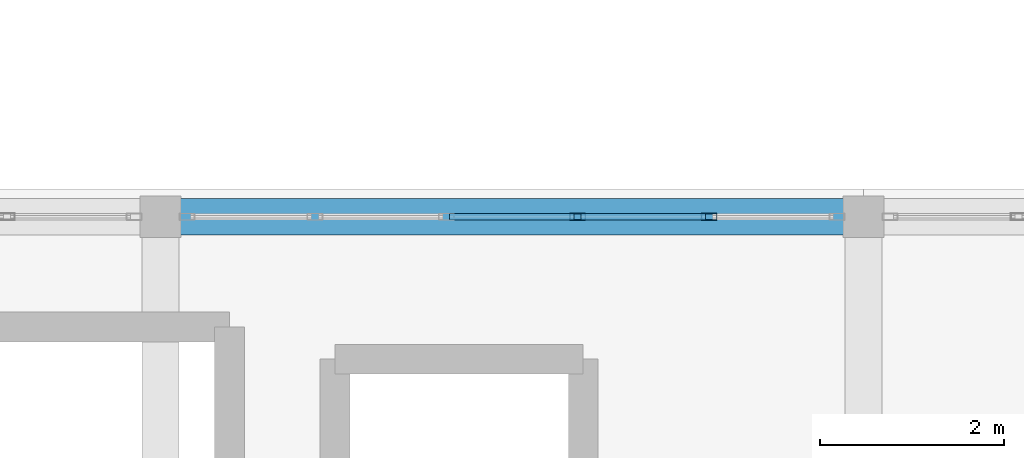
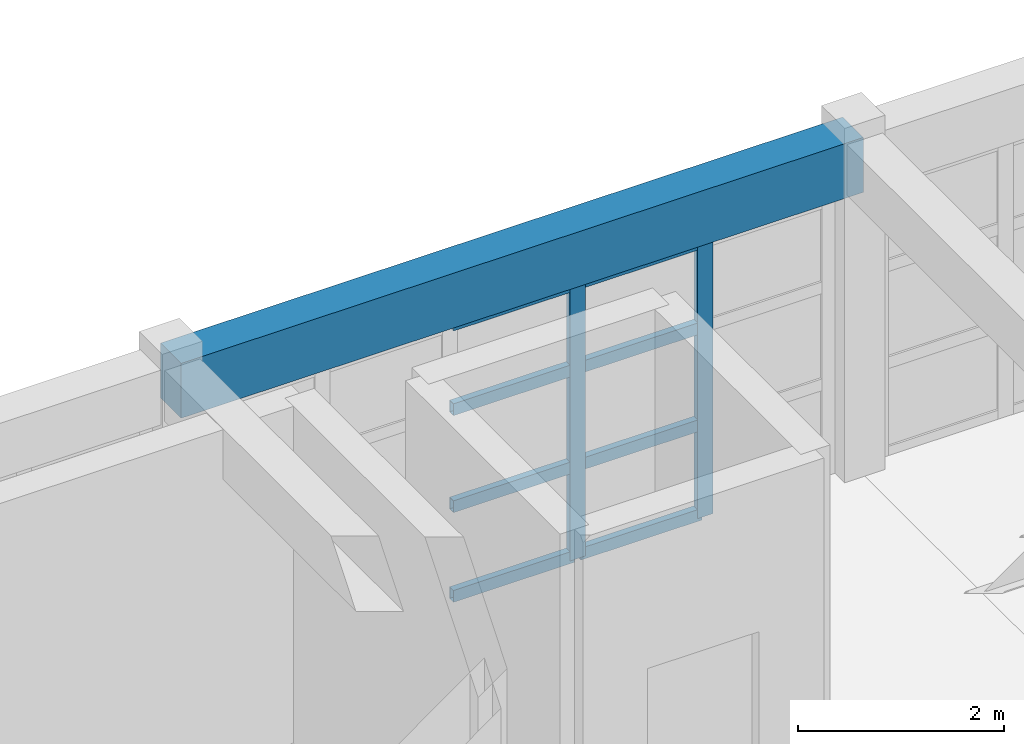
# One storey, part 10 of 52: 10 members, 1 beam, 1 element without a shape of its own.
"""IFC4 building model written with IfcOpenShell, lengths in metres."""

from ifc_helpers import new_model, si_unit, direction, frame, origin, origin_2d, place, context, subcontext, project, spatial, rectangle, hollow_rectangle, extrude, material, layer, layer_set, material_profile, profile_set, type_object, element, aggregate, save


model = new_model("IFC4")

# Units and contexts
model_context = context("Model", 3, precision=1e-05, world=origin(), true_north=direction((0.0, 1.0)))
body_context = subcontext(model_context, "Body", "Model", "MODEL_VIEW")
ifc_project = project(units=[si_unit("LENGTHUNIT", "METRE"), si_unit("AREAUNIT", "SQUARE_METRE"), si_unit("VOLUMEUNIT", "CUBIC_METRE"), si_unit("PLANEANGLEUNIT", "RADIAN"), si_unit("MASSUNIT", "GRAM", prefix="KILO")], contexts=[model_context])

# Site, building, storey
site_placement = place(None, origin())
site = spatial("IfcSite", under=ifc_project, at=site_placement, CompositionType="ELEMENT")
building_placement = place(site_placement, origin())
building = spatial("IfcBuilding", under=site, at=building_placement, Name="Candilejo Ridge Gondola Terminal", CompositionType="ELEMENT")
storey_placement = place(building_placement, frame((0.0, 0.0, 18.60009765625)))
storey = spatial("IfcBuildingStorey", under=building, at=storey_placement, Name="L04", CompositionType="ELEMENT", Elevation=18.60009765625)

# Curtain wall, members
ifc_material_1 = material(Name="Anodised aluminium AA 6063-T6", Category="aluminium")
ifc_layer = layer(ifc_material_1, 0.169921875)
ifc_layer_set = layer_set([ifc_layer], Name="ARC-CW-GALLERY-3200-715X329")
curtain_wall_type = type_object("IfcCurtainWallType", Name="ARC-CW-GALLERY-3200-715X329", PredefinedType="NOTDEFINED", material=ifc_layer_set)
curtain_wall_placement = place(storey_placement, origin())
curtain_wall = element("IfcCurtainWall", 1, at=curtain_wall_placement, inside=storey, type_object=curtain_wall_type, Name="Curtain wall V3 L04-102", PredefinedType="NOTDEFINED")
ifc_material_2 = material(Name="Anodised aluminium AA 6063-T6", Category="aluminium")
ifc_material_profile_1 = material_profile(ifc_material_2, hollow_rectangle(XDim=0.074951171875, YDim=0.169921875, WallThickness=0.00390625, at=origin_2d()))
ifc_profile_set_1 = profile_set([ifc_material_profile_1], Name="Anodised aluminium AA 6063-T6")
member_type_1 = type_object("IfcMemberType", Name="ARC-CW-MULLION", PredefinedType="MULLION", material=ifc_profile_set_1)
member_1_placement = place(storey_placement, frame((106.739990234375, 36.699951171875, 0.0), z_axis=(0.0, 0.0, 1.0), x_axis=(0.0, 1.0, 0.0)))
member_1 = element("IfcMember", 2, at=member_1_placement, type_object=member_type_1, Name="CW-71X32 mullion 4", PredefinedType="MULLION", context=body_context, shape_type="SweptSolid", body=[
    extrude(hollow_rectangle(XDim=0.074951171875, YDim=0.169921875, WallThickness=0.00390625, at=origin_2d()), origin(), (0.0, 0.0, 1.0), 3.289794921875),
])
member_2_placement = place(storey_placement, frame((108.169921875, 36.699951171875, 0.0), z_axis=(0.0, 0.0, 1.0), x_axis=(0.0, 1.0, 0.0)))
member_2 = element("IfcMember", 3, at=member_2_placement, type_object=member_type_1, Name="CW-71X32 mullion 5", PredefinedType="MULLION", context=body_context, shape_type="SweptSolid", body=[
    extrude(hollow_rectangle(XDim=0.074951171875, YDim=0.169921875, WallThickness=0.00390625, at=origin_2d()), origin(), (0.0, 0.0, 1.0), 3.289794921875),
])
ifc_material_3 = material(Name="Anodised aluminium AA 6063-T6", Category="aluminium")
ifc_material_profile_2 = material_profile(ifc_material_3, hollow_rectangle(XDim=0.074951171875, YDim=0.139892578125, WallThickness=0.00390625, at=origin_2d()))
ifc_profile_set_2 = profile_set([ifc_material_profile_2], Name="Anodised aluminium AA 6063-T6")
member_type_2 = type_object("IfcMemberType", Name="ARC-CW-TRANSOM", PredefinedType="USERDEFINED", material=ifc_profile_set_2)
member_3_placement = place(storey_placement, frame((105.347412109375, 36.699951171875, 0.037353515625), z_axis=(1.0, 0.0, 0.0), x_axis=(0.0, 1.0, 0.0)))
member_3 = element("IfcMember", 4, at=member_3_placement, type_object=member_type_2, Name="CW-71X32 transom 3.1", ObjectType="TRANSOM", PredefinedType="USERDEFINED", context=body_context, shape_type="SweptSolid", body=[
    extrude(hollow_rectangle(XDim=0.074951171875, YDim=0.139892578125, WallThickness=0.00390625, at=origin_2d()), origin(), (0.0, 0.0, 1.0), 1.35498046875),
])
member_4_placement = place(storey_placement, frame((105.347412109375, 36.699951171875, 1.099853515625), z_axis=(1.0, 0.0, 0.0), x_axis=(0.0, 1.0, 0.0)))
member_4 = element("IfcMember", 5, at=member_4_placement, type_object=member_type_2, Name="CW-71X32 transom 3.2", ObjectType="TRANSOM", PredefinedType="USERDEFINED", context=body_context, shape_type="SweptSolid", body=[
    extrude(hollow_rectangle(XDim=0.074951171875, YDim=0.139892578125, WallThickness=0.00390625, at=origin_2d()), origin(), (0.0, 0.0, 1.0), 1.35498046875),
])
member_5_placement = place(storey_placement, frame((105.347412109375, 36.699951171875, 2.25), z_axis=(1.0, 0.0, 0.0), x_axis=(0.0, 1.0, 0.0)))
member_5 = element("IfcMember", 6, at=member_5_placement, type_object=member_type_2, Name="CW-71X32 transom 3.3", ObjectType="TRANSOM", PredefinedType="USERDEFINED", context=body_context, shape_type="SweptSolid", body=[
    extrude(hollow_rectangle(XDim=0.074951171875, YDim=0.139892578125, WallThickness=0.00390625, at=origin_2d()), origin(), (0.0, 0.0, 1.0), 1.35498046875),
])
member_6_placement = place(storey_placement, frame((105.347412109375, 36.699951171875, 3.25244140625), z_axis=(1.0, 0.0, 0.0), x_axis=(0.0, 1.0, 0.0)))
member_6 = element("IfcMember", 7, at=member_6_placement, type_object=member_type_2, Name="CW-71X32 transom 3.4", ObjectType="TRANSOM", PredefinedType="USERDEFINED", context=body_context, shape_type="SweptSolid", body=[
    extrude(hollow_rectangle(XDim=0.074951171875, YDim=0.139892578125, WallThickness=0.00390625, at=origin_2d()), origin(), (0.0, 0.0, 1.0), 1.35498046875),
])
member_7_placement = place(storey_placement, frame((106.777587890625, 36.699951171875, 0.037353515625), z_axis=(1.0, 0.0, 0.0), x_axis=(0.0, 1.0, 0.0)))
member_7 = element("IfcMember", 8, at=member_7_placement, type_object=member_type_2, Name="CW-71X32 transom 4.1", ObjectType="TRANSOM", PredefinedType="USERDEFINED", context=body_context, shape_type="SweptSolid", body=[
    extrude(hollow_rectangle(XDim=0.074951171875, YDim=0.139892578125, WallThickness=0.00390625, at=origin_2d()), origin(), (0.0, 0.0, 1.0), 1.35498046875),
])
member_8_placement = place(storey_placement, frame((106.777587890625, 36.699951171875, 1.099853515625), z_axis=(1.0, 0.0, 0.0), x_axis=(0.0, 1.0, 0.0)))
member_8 = element("IfcMember", 9, at=member_8_placement, type_object=member_type_2, Name="CW-71X32 transom 4.2", ObjectType="TRANSOM", PredefinedType="USERDEFINED", context=body_context, shape_type="SweptSolid", body=[
    extrude(hollow_rectangle(XDim=0.074951171875, YDim=0.139892578125, WallThickness=0.00390625, at=origin_2d()), origin(), (0.0, 0.0, 1.0), 1.35498046875),
])
member_9_placement = place(storey_placement, frame((106.777587890625, 36.699951171875, 2.25), z_axis=(1.0, 0.0, 0.0), x_axis=(0.0, 1.0, 0.0)))
member_9 = element("IfcMember", 10, at=member_9_placement, type_object=member_type_2, Name="CW-71X32 transom 4.3", ObjectType="TRANSOM", PredefinedType="USERDEFINED", context=body_context, shape_type="SweptSolid", body=[
    extrude(hollow_rectangle(XDim=0.074951171875, YDim=0.139892578125, WallThickness=0.00390625, at=origin_2d()), origin(), (0.0, 0.0, 1.0), 1.35498046875),
])
member_10_placement = place(storey_placement, frame((106.777587890625, 36.699951171875, 3.25244140625), z_axis=(1.0, 0.0, 0.0), x_axis=(0.0, 1.0, 0.0)))
member_10 = element("IfcMember", 11, at=member_10_placement, type_object=member_type_2, Name="CW-71X32 transom 4.4", ObjectType="TRANSOM", PredefinedType="USERDEFINED", context=body_context, shape_type="SweptSolid", body=[
    extrude(hollow_rectangle(XDim=0.074951171875, YDim=0.139892578125, WallThickness=0.00390625, at=origin_2d()), origin(), (0.0, 0.0, 1.0), 1.35498046875),
])
aggregate(curtain_wall, [member_1, member_2, member_3, member_4, member_5, member_6, member_7, member_8, member_9, member_10])

# Beam
ifc_material_4 = material(Name="Concrete f'c 35 MPa (C35/45)", Category="concrete")
ifc_material_profile_3 = material_profile(ifc_material_4, rectangle(XDim=0.39990234375, YDim=0.64990234375, at=origin_2d()))
ifc_profile_set_3 = profile_set([ifc_material_profile_3], Name="Concrete f'c 35 MPa (C35/45)")
beam_type = type_object("IfcBeamType", Name="STR-SPN-RC400X650", PredefinedType="SPANDREL", material=ifc_profile_set_3)
beam_placement = place(storey_placement, frame((102.199951171875, 36.699951171875, 3.6748046875), z_axis=(1.0, 0.0, 0.0), x_axis=(0.0, 1.0, 0.0)))
element("IfcBeam", 12, at=beam_placement, inside=storey, type_object=beam_type, Name="Beam X V3 L04 X16-X17@Y07", PredefinedType="SPANDREL", context=body_context, shape_type="SweptSolid", body=[
    extrude(rectangle(XDim=0.39990234375, YDim=0.64990234375, at=origin_2d()), origin(), (0.0, 0.0, 1.0), 7.650146484375),
])

save(model, "model.ifc")
